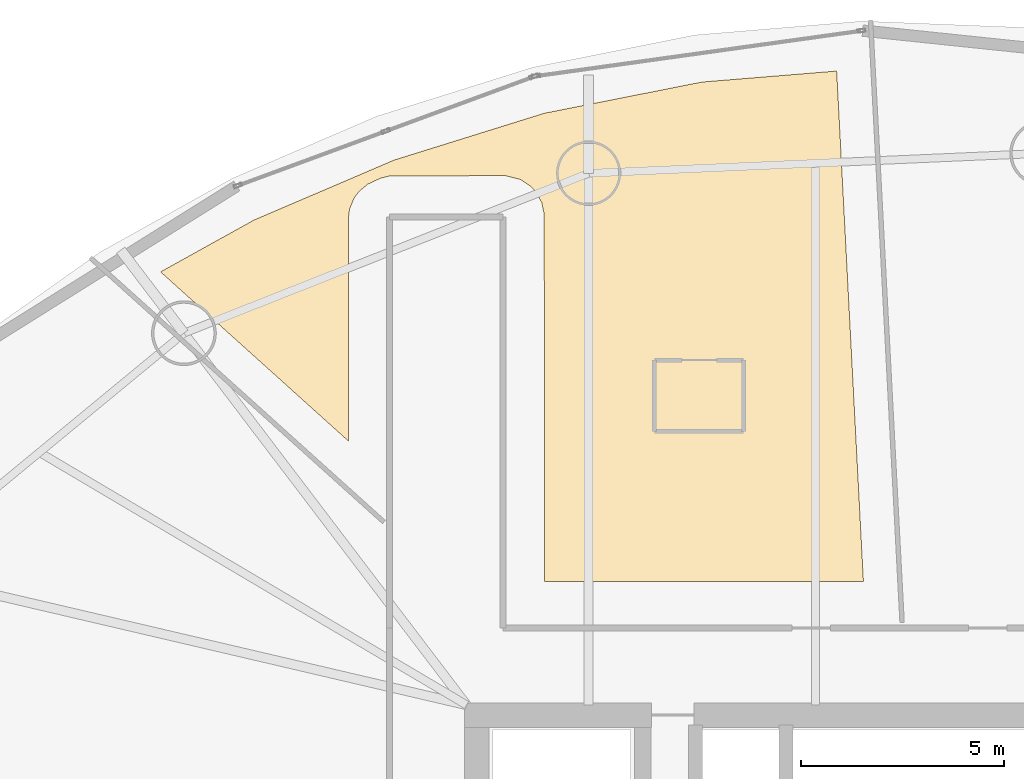
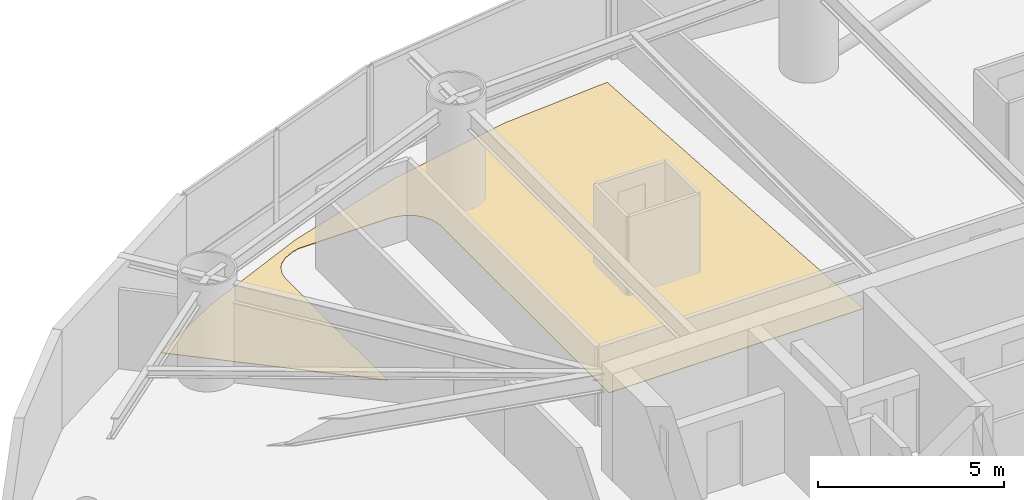
# One storey, part 30 of 30: 1 covering.
"""IFC4 building model written with IfcOpenShell, lengths in metres."""

from ifc_helpers import new_model, si_unit, direction, frame, origin, place, context, subcontext, project, spatial, polyline, outline, extrude, material, layer, layer_set, type_object, element, save


model = new_model("IFC4")

# Units and contexts
model_context = context("Model", 3, precision=1e-05, world=origin(), true_north=direction((0.0, 1.0)))
body_context = subcontext(model_context, "Body", "Model", "MODEL_VIEW")
ifc_project = project(units=[si_unit("LENGTHUNIT", "METRE"), si_unit("AREAUNIT", "SQUARE_METRE"), si_unit("VOLUMEUNIT", "CUBIC_METRE"), si_unit("PLANEANGLEUNIT", "RADIAN"), si_unit("MASSUNIT", "GRAM", prefix="KILO")], contexts=[model_context])

# Site, building, storey
site_placement = place(None, origin())
site = spatial("IfcSite", under=ifc_project, at=site_placement, CompositionType="ELEMENT")
building_placement = place(site_placement, origin())
building = spatial("IfcBuilding", under=site, at=building_placement, Name="Bramvorn Convention Spire", CompositionType="ELEMENT")
storey_placement = place(building_placement, frame((0.0, 0.0, 86.89990234375)))
storey = spatial("IfcBuildingStorey", under=building, at=storey_placement, Name="L20", CompositionType="ELEMENT", Elevation=86.89990234375)

# Covering
ifc_material = material(Name="Solution-Dyed Wool Broadloom Hospitality Carpet", Category="textile")
ifc_layer = layer(ifc_material, 0.014892578125)
ifc_layer_set = layer_set([ifc_layer], Name="Solution-Dyed Wool Broadloom Hospitality Carpet - FLR-CARPET-15")
covering_type = type_object("IfcCoveringType", Name="FLR-CARPET-15", PredefinedType="FLOORING", material=ifc_layer_set)
covering_placement = place(storey_placement, origin())
element("IfcCovering", 1, at=covering_placement, inside=storey, type_object=covering_type, Name="Hotel Suite 2003 wool broadloom carpet", PredefinedType="FLOORING", context=body_context, shape_type="SweptSolid", body=[
    extrude(outline(polyline([(23.830078125, 39.9697265625), (23.830078125, 45.441162109375), (23.861572265625, 45.692138671875), (23.975341796875, 45.9658203125), (24.093017578125, 46.124755859375), (24.3115234375, 46.307373046875), (24.628173828125, 46.45458984375), (24.839111328125, 46.509033203125), (27.694091796875, 46.518798828125), (28.080810546875, 46.424560546875), (28.33056640625, 46.259521484375), (28.47265625, 46.102783203125), (28.6083984375, 45.84912109375), (28.668212890625, 45.555908203125), (28.669921875, 36.5), (36.548583984375, 36.5), (35.88818359375, 49.101318359375), (32.562744140625, 48.829833984375), (28.671630859375, 48.0595703125), (24.9560546875, 46.90087890625), (21.494384765625, 45.41845703125), (19.196044921875, 44.142333984375), (23.830078125, 39.9697265625)])), origin(), (0.0, 0.0, 1.0), 0.01513671875),
])

save(model, "model.ifc")
